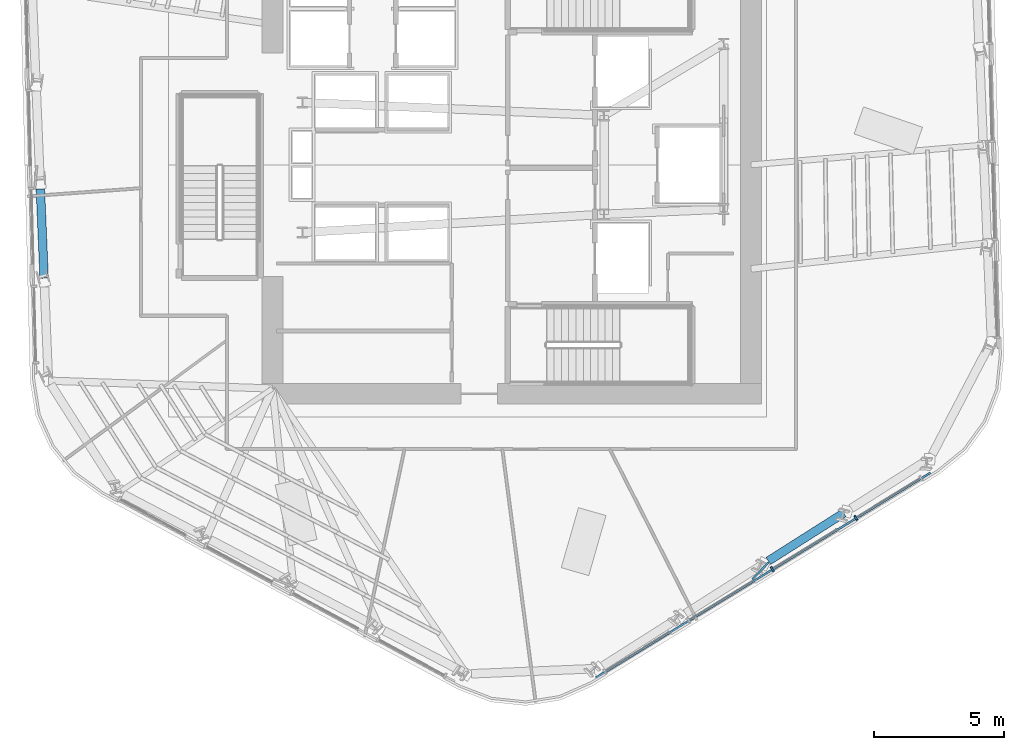
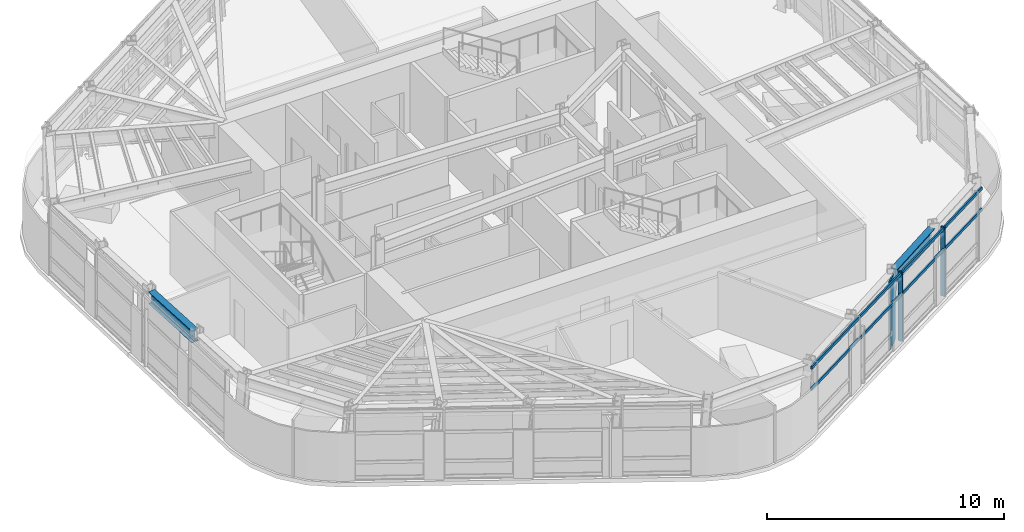
# One storey, part 3 of 15: 5 members, 2 beams, 1 element without a shape of its own.
"""IFC4 building model written with IfcOpenShell, lengths in metres."""

import ifcopenshell
import ifcopenshell.guid

model = None  # the IFC model being written
_history = None  # IfcOwnerHistory: only IFC2X3 demands one
_inside = {}  # id of a spatial element -> (the spatial element, [elements in it])
_under = {}  # id of a project, library or spatial element -> (it, [spatial elements below it])
_declared = {}  # id of a project -> (the project, [libraries it declares])
_typed = {}  # id of a type object -> (the type object, [elements of that type])
_made_of = {}  # id of a material, layer set ... -> (it, [elements and type objects made of it])


def new_model(schema):
    """Start an empty IFC model of exactly this schema.

    Asked for "IFC4X3", IfcOpenShell would pick the latest addendum, in which some entities
    have other attributes; the version numbers below select the first issue.
    IFC2X3 requires an IfcOwnerHistory on every rooted entity: one is made here for all.
    """
    global model, _history
    if schema == "IFC4X3":
        model = ifcopenshell.file(schema_version=(4, 3, 0, 0))
    else:
        model = ifcopenshell.file(schema=schema)
    _inside.clear()
    _under.clear()
    _declared.clear()
    _typed.clear()
    _made_of.clear()
    _history = None
    if model.schema == "IFC2X3":
        org = make("IfcOrganization", Name="unknown")
        user = make(
            "IfcPersonAndOrganization",
            ThePerson=make("IfcPerson", FamilyName="unknown"),
            TheOrganization=org,
        )
        app = make(
            "IfcApplication",
            ApplicationDeveloper=org,
            Version="unknown",
            ApplicationFullName="unknown",
            ApplicationIdentifier="unknown",
        )
        _history = make(
            "IfcOwnerHistory",
            OwningUser=user,
            OwningApplication=app,
            ChangeAction="ADDED",
            CreationDate=0,
        )
    return model


def make(cls, **values):
    """One entity of the class cls with the attributes given. An attribute that is None is left unset."""
    return model.create_entity(
        cls, **{name: value for name, value in values.items() if value is not None}
    )


def rooted(cls, **values):
    """An entity with a GlobalId (a new one), such as an element, a storey or a relation."""
    return make(cls, GlobalId=ifcopenshell.guid.new(), OwnerHistory=_history, **values)


def si_unit(unit_type, name, prefix=None):
    """IfcSIUnit, for example si_unit("LENGTHUNIT", "METRE", prefix="MILLI")."""
    return make("IfcSIUnit", UnitType=unit_type, Prefix=prefix, Name=name)


def assignment(units):
    """IfcUnitAssignment: the units of a project."""
    return None if units is None else make("IfcUnitAssignment", Units=units)


def point(xyz):
    """IfcCartesianPoint."""
    return None if xyz is None else make("IfcCartesianPoint", Coordinates=xyz)


def direction(xyz):
    """IfcDirection."""
    return None if xyz is None else make("IfcDirection", DirectionRatios=xyz)


def frame(location, z_axis=None, x_axis=None):
    """IfcAxis2Placement3D, a coordinate frame: its origin and axes. An axis left out is left unset."""
    return make(
        "IfcAxis2Placement3D",
        Location=point(location),
        Axis=direction(z_axis),
        RefDirection=direction(x_axis),
    )


def frame_2d(location, x_axis=None):
    """IfcAxis2Placement2D, a coordinate frame in the plane: its origin and x axis."""
    return make(
        "IfcAxis2Placement2D", Location=point(location), RefDirection=direction(x_axis)
    )


def origin():
    """The frame at (0, 0, 0) with its axes left unset."""
    return frame((0.0, 0.0, 0.0))


def origin_2d():
    """The frame at (0, 0) in the plane with its x axis left unset."""
    return frame_2d((0.0, 0.0))


def place(relative_to, where):
    """IfcLocalPlacement: puts the frame where relative to a parent placement (None: the world)."""
    return make(
        "IfcLocalPlacement", PlacementRelTo=relative_to, RelativePlacement=where
    )


def context(
    kind, dimensions, precision=None, world=None, true_north=None, identifier=None
):
    """IfcGeometricRepresentationContext, for example the 3D "Model" context."""
    return make(
        "IfcGeometricRepresentationContext",
        ContextIdentifier=identifier,
        ContextType=kind,
        CoordinateSpaceDimension=dimensions,
        Precision=precision,
        WorldCoordinateSystem=world,
        TrueNorth=true_north,
    )


def subcontext(parent, identifier, kind, view, scale=None):
    """IfcGeometricRepresentationSubContext, for example "Body" below "Model"."""
    return make(
        "IfcGeometricRepresentationSubContext",
        ContextIdentifier=identifier,
        ContextType=kind,
        ParentContext=parent,
        TargetScale=scale,
        TargetView=view,
    )


def project(units=None, contexts=None):
    """IfcProject with its units and contexts."""
    return rooted(
        "IfcProject",
        Name="project",
        RepresentationContexts=contexts,
        UnitsInContext=assignment(units),
    )


def spatial(cls, under=None, at=None, **own):
    """A site, building, storey or space (cls), placed at a placement, below another one or the project."""
    s = rooted(cls, ObjectPlacement=at, **own)
    if under is not None:
        _under.setdefault(under.id(), (under, []))[1].append(s)
    return s


def profile(cls, at=None, kind="AREA", **sizes):
    """A parametric profile (cls). Its sizes go by their IFC names, for example OverallWidth=200.0."""
    return make(cls, ProfileType=kind, Position=at, **sizes)


def rectangle(**sizes):
    """IfcRectangleProfileDef."""
    return profile("IfcRectangleProfileDef", **sizes)


def i_section(**sizes):
    """IfcIShapeProfileDef."""
    return profile("IfcIShapeProfileDef", **sizes)


def extrude(swept, where, along, depth):
    """IfcExtrudedAreaSolid: the profile swept, set in the frame where, extruded along a direction by depth."""
    return make(
        "IfcExtrudedAreaSolid",
        SweptArea=swept,
        Position=where,
        ExtrudedDirection=direction(along),
        Depth=depth,
    )


def shape(context_of_items, identifier, shape_type, items):
    """IfcShapeRepresentation: the items that make up one representation, for example the "Body"."""
    return make(
        "IfcShapeRepresentation",
        ContextOfItems=context_of_items,
        RepresentationIdentifier=identifier,
        RepresentationType=shape_type,
        Items=items,
    )


def material(Name=None, Category=None):
    """IfcMaterial."""
    return make("IfcMaterial", Name=Name, Category=Category)


def layer(
    of_material, thickness, ventilated=None, Name=None, Category=None, Priority=None
):
    """IfcMaterialLayer: one layer of a wall or slab, of a material (None: an air gap)."""
    return make(
        "IfcMaterialLayer",
        Material=of_material,
        LayerThickness=thickness,
        IsVentilated=ventilated,
        Name=Name,
        Category=Category,
        Priority=Priority,
    )


def layer_set(layers, Name=None):
    """IfcMaterialLayerSet."""
    return make("IfcMaterialLayerSet", MaterialLayers=layers, LayerSetName=Name)


def material_profile(
    of_material, cross_section, Name=None, Category=None, Priority=None
):
    """IfcMaterialProfile: a cross section and its material."""
    return make(
        "IfcMaterialProfile",
        Name=Name,
        Material=of_material,
        Profile=cross_section,
        Priority=Priority,
        Category=Category,
    )


def profile_set(profiles, Name=None, composite=None):
    """IfcMaterialProfileSet."""
    return make(
        "IfcMaterialProfileSet",
        Name=Name,
        MaterialProfiles=profiles,
        CompositeProfile=composite,
    )


def made_of(thing, what):
    """Note that an element or type object is made of a material, layer set ...; save() writes the relation."""
    if what is not None:
        _made_of.setdefault(what.id(), (what, []))[1].append(thing)
    return thing


def type_object(cls, material=None, **own):
    """A type object (cls), such as IfcWallType, which elements share."""
    return made_of(rooted(cls, **own), material)


def element(
    cls,
    number,
    at=None,
    inside=None,
    cuts=None,
    type_object=None,
    material=None,
    context=None,
    identifier="Body",
    shape_type=None,
    held_by="IfcProductDefinitionShape",
    body=None,
    shapes=None,
    **own,
):
    """One element of the class cls, such as IfcWall. Its Tag is "e" and its number.

    at: its placement. inside: the storey or other place that contains it. cuts: it is an
    opening in that element (IfcRelVoidsElement). A single representation is given by context,
    identifier, shape_type and body (its items); several are given by shapes. held_by: the class
    of the entity that holds the representations. save() writes the other relations.
    """
    e = rooted(cls, Tag="e%d" % number, ObjectPlacement=at, **own)
    if body is not None:
        shapes = [shape(context, identifier, shape_type, body)]
    if shapes is not None:
        e.Representation = make(held_by, Representations=shapes)
    if inside is not None:
        _inside.setdefault(inside.id(), (inside, []))[1].append(e)
    if cuts is not None:
        rooted(
            "IfcRelVoidsElement", RelatingBuildingElement=cuts, RelatedOpeningElement=e
        )
    if type_object is not None:
        _typed.setdefault(type_object.id(), (type_object, []))[1].append(e)
    return made_of(e, material)


def aggregate(whole, parts):
    """IfcRelAggregates: a whole, such as a stair, and the parts it consists of."""
    return rooted("IfcRelAggregates", RelatingObject=whole, RelatedObjects=parts)


def save(model, path):
    """Write the relations noted so far, then the file.

    IfcRelAggregates (storeys below a building ...), IfcRelContainedInSpatialStructure (elements
    in a storey), IfcRelDefinesByType, IfcRelAssociatesMaterial and IfcRelDeclares: one each for
    every whole, place, type object, material and project.
    """
    for whole, parts in _under.values():
        aggregate(whole, parts)
    for where, things in _inside.values():
        rooted(
            "IfcRelContainedInSpatialStructure",
            RelatedElements=things,
            RelatingStructure=where,
        )
    for kind, things in _typed.values():
        rooted("IfcRelDefinesByType", RelatedObjects=things, RelatingType=kind)
    for what, things in _made_of.values():
        rooted("IfcRelAssociatesMaterial", RelatedObjects=things, RelatingMaterial=what)
    for by, libraries in _declared.values():
        rooted("IfcRelDeclares", RelatingContext=by, RelatedDefinitions=libraries)
    model.write(path)


model = new_model("IFC4")

# Units and contexts
model_context = context("Model", 3, precision=1e-05, world=origin(), true_north=direction((0.0, 1.0)))
body_context = subcontext(model_context, "Body", "Model", "MODEL_VIEW")
ifc_project = project(units=[si_unit("LENGTHUNIT", "METRE"), si_unit("AREAUNIT", "SQUARE_METRE"), si_unit("VOLUMEUNIT", "CUBIC_METRE"), si_unit("PLANEANGLEUNIT", "RADIAN"), si_unit("MASSUNIT", "GRAM", prefix="KILO")], contexts=[model_context])

# Site, building, storey
site_placement = place(None, origin())
site = spatial("IfcSite", under=ifc_project, at=site_placement, CompositionType="ELEMENT")
building_placement = place(site_placement, origin())
building = spatial("IfcBuilding", under=site, at=building_placement, Name="Valkerne Bourse Tower", CompositionType="ELEMENT")
storey_placement = place(building_placement, frame((0.0, 0.0, 159.0)))
storey = spatial("IfcBuildingStorey", under=building, at=storey_placement, Name="L40", CompositionType="ELEMENT", Elevation=159.0)

# Beams
ifc_material_1 = material(Name="Steel ASTM A992", Category="steel")
ifc_material_profile_1 = material_profile(ifc_material_1, i_section(OverallWidth=0.32763671875, OverallDepth=0.62744140625, WebThickness=0.0166015625, FlangeThickness=0.027587890625, FilletRadius=0.020263671875, at=origin_2d()), Name="W24X146")
ifc_profile_set_1 = profile_set([ifc_material_profile_1], Name="Steel ASTM A992")
beam_type = type_object("IfcBeamType", Name="BM-W24X146", PredefinedType="SPANDREL", material=ifc_profile_set_1)
beam_1_placement = place(storey_placement, frame((28.6796875, 26.0703125, 3.266357421875), z_axis=(0.041911719693, -0.999121317835, 0.0), x_axis=(0.999121317835, 0.041911719693, 0.0)))
element("IfcBeam", 1, at=beam_1_placement, inside=storey, type_object=beam_type, Name="L40 Hexagonal Spandrel Ring Beam 12", PredefinedType="SPANDREL", context=body_context, shape_type="SweptSolid", body=[
    extrude(i_section(OverallWidth=0.32763671875, OverallDepth=0.62744140625, WebThickness=0.0166015625, FlangeThickness=0.027587890625, FilletRadius=0.020263671875, at=origin_2d()), origin(), (0.0, 0.0, 1.0), 3.430908203125),
])
beam_2_placement = place(storey_placement, frame((56.6650390625, 11.772216796875, 3.266357421875), z_axis=(0.84434056338, 0.535806880351, 0.0), x_axis=(-0.535806880351, 0.84434056338, 0.0)))
element("IfcBeam", 2, at=beam_2_placement, inside=storey, type_object=beam_type, Name="L40 Hexagonal Spandrel Ring Beam 22", PredefinedType="SPANDREL", context=body_context, shape_type="SweptSolid", body=[
    extrude(i_section(OverallWidth=0.32763671875, OverallDepth=0.62744140625, WebThickness=0.0166015625, FlangeThickness=0.027587890625, FilletRadius=0.020263671875, at=origin_2d()), origin(), (0.0, 0.0, 1.0), 3.43115234375),
])

# Curtain wall, members
ifc_material_2 = material(Name="Aluminium AA 6063-T6", Category="aluminium")
ifc_layer = layer(ifc_material_2, 0.235107421875)
ifc_layer_set = layer_set([ifc_layer], Name="Aluminium AA 6063-T6")
curtain_wall_type = type_object("IfcCurtainWallType", Name="CW-03", PredefinedType="NOTDEFINED", material=ifc_layer_set)
curtain_wall_placement = place(storey_placement, origin())
curtain_wall = element("IfcCurtainWall", 3, at=curtain_wall_placement, inside=storey, type_object=curtain_wall_type, Name="L40 Hexagonal Stick Curtain Wall Face 5", PredefinedType="NOTDEFINED")
ifc_material_profile_2 = material_profile(ifc_material_2, rectangle(XDim=0.074951171875, YDim=0.199951171875, at=origin_2d()), Name="CWM-75X200")
ifc_profile_set_2 = profile_set([ifc_material_profile_2], Name="Aluminium AA 6063-T6")
member_type_1 = type_object("IfcMemberType", Name="CW-MUL-220X75", PredefinedType="MULLION", material=ifc_profile_set_2)
member_1_placement = place(storey_placement, frame((56.815673828125, 11.4599609375, 0.0), z_axis=(0.0, 0.0, 1.0), x_axis=(0.852644697846, 0.522491166657, 0.0)))
member_1 = element("IfcMember", 4, at=member_1_placement, type_object=member_type_1, Name="CW-L40-F5 Jamb Mullion 02A", PredefinedType="MULLION", context=body_context, shape_type="SweptSolid", body=[
    extrude(rectangle(XDim=0.074951171875, YDim=0.199951171875, at=origin_2d()), origin(), (0.0, 0.0, 1.0), 3.580078125),
])
member_2_placement = place(storey_placement, frame((60.031005859375, 13.43017578125, 0.0), z_axis=(0.0, 0.0, 1.0), x_axis=(0.852644697846, 0.522491166657, 0.0)))
member_2 = element("IfcMember", 5, at=member_2_placement, type_object=member_type_1, Name="CW-L40-F5 Jamb Mullion 03A", PredefinedType="MULLION", context=body_context, shape_type="SweptSolid", body=[
    extrude(rectangle(XDim=0.074951171875, YDim=0.199951171875, at=origin_2d()), origin(), (0.0, 0.0, 1.0), 3.580078125),
])
ifc_material_profile_3 = material_profile(ifc_material_2, rectangle(XDim=0.074951171875, YDim=0.14990234375, at=origin_2d()), Name="CWT-75X150")
ifc_profile_set_3 = profile_set([ifc_material_profile_3], Name="Aluminium AA 6063-T6")
member_type_2 = type_object("IfcMemberType", Name="CW-TRN-180X65", PredefinedType="USERDEFINED", material=ifc_profile_set_3)
member_3_placement = place(storey_placement, frame((50.037353515625, 7.28271484375, 2.39990234375), z_axis=(0.852638237058, 0.522501709765, 0.0), x_axis=(-0.522501709765, 0.852638237058, 0.0)))
member_3 = element("IfcMember", 6, at=member_3_placement, type_object=member_type_2, Name="CW-L40-F5 Continuous Face Transom 3", ObjectType="TRANSOM", PredefinedType="USERDEFINED", context=body_context, shape_type="SweptSolid", body=[
    extrude(rectangle(XDim=0.074951171875, YDim=0.14990234375, at=origin_2d()), origin(), (0.0, 0.0, 1.0), 15.083984375),
])
member_4_placement = place(storey_placement, frame((50.037353515625, 7.28271484375, 3.5), z_axis=(0.852638237058, 0.522501709765, 0.0), x_axis=(-0.522501709765, 0.852638237058, 0.0)))
member_4 = element("IfcMember", 7, at=member_4_placement, type_object=member_type_2, Name="CW-L40-F5 Continuous Face Transom 4", ObjectType="TRANSOM", PredefinedType="USERDEFINED", context=body_context, shape_type="SweptSolid", body=[
    extrude(rectangle(XDim=0.074951171875, YDim=0.14990234375, at=origin_2d()), origin(), (0.0, 0.0, 1.0), 15.083984375),
])
aggregate(curtain_wall, [member_3, member_4, member_1, member_2])

# Member
ifc_material_3 = material(Name="Bronze Anodised Aluminium AA 6063-T6", Category="aluminium")
ifc_material_profile_4 = material_profile(ifc_material_3, rectangle(XDim=0.070068359375, YDim=0.89990234375, at=origin_2d()), Name="FIN-70X900")
ifc_profile_set_4 = profile_set([ifc_material_profile_4], Name="Bronze Anodised Aluminium AA 6063-T6")
member_type_3 = type_object("IfcMemberType", Name="FIN-SOLAR-900", PredefinedType="USERDEFINED", material=ifc_profile_set_4)
member_5_placement = place(storey_placement, frame((56.36328125, 11.39404296875, 0.00390625), z_axis=(0.0, 0.0, 1.0), x_axis=(0.713185715432, -0.70097513173, 0.0)))
element("IfcMember", 8, at=member_5_placement, inside=storey, type_object=member_type_3, Name="L40 Bronze Anodised Solar Fin F5-02", ObjectType="SOLAR_FIN", PredefinedType="USERDEFINED", context=body_context, shape_type="SweptSolid", body=[
    extrude(rectangle(XDim=0.070068359375, YDim=0.89990234375, at=origin_2d()), origin(), (0.0, 0.0, 1.0), 3.572021484375),
])

save(model, "model.ifc")
